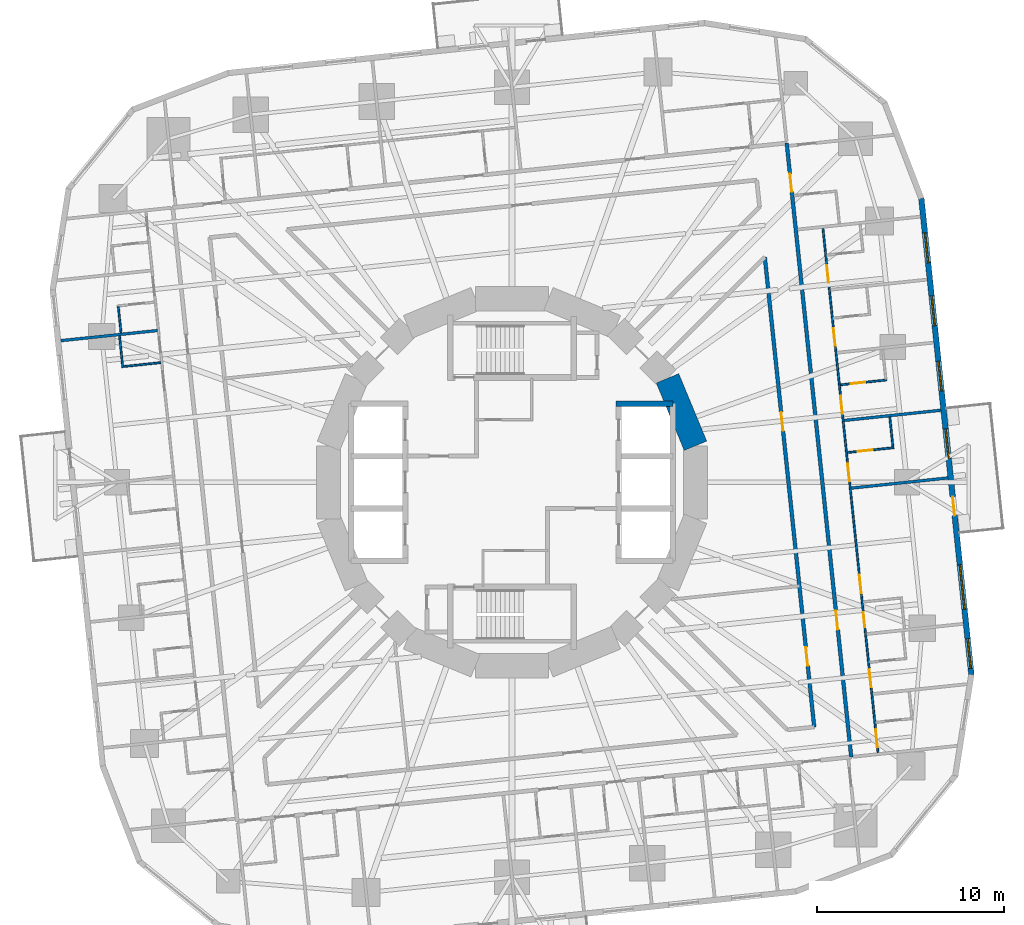
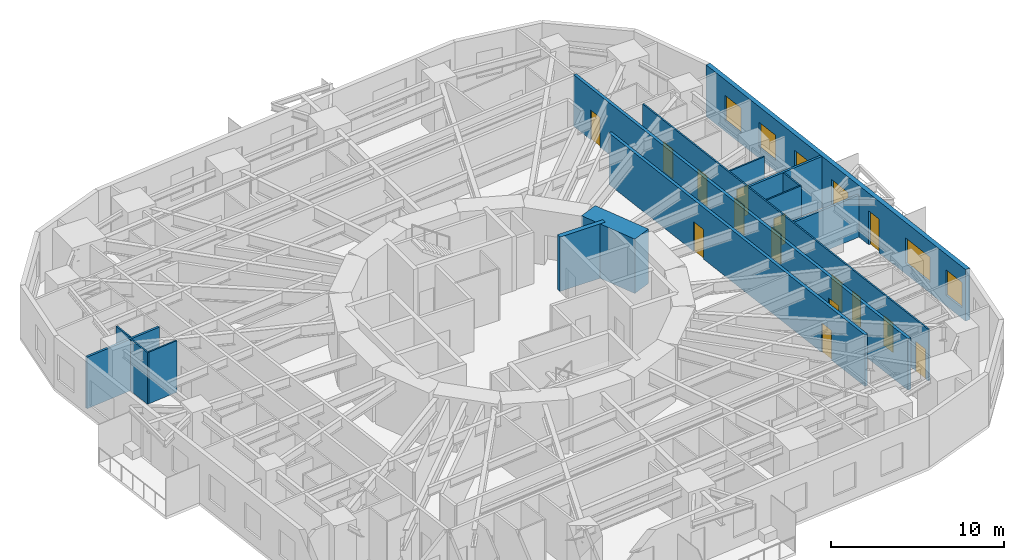
# One storey, part 9 of 14: 15 doors, 15 walls, 6 windows, 21 openings.
"""IFC4 building model written with IfcOpenShell, lengths in metres."""

from ifc_helpers import new_model, si_unit, direction, frame, frame_2d, origin, place, context, subcontext, project, spatial, rectangle, extrude, material, layer, layer_set, type_object, element, fill, save


model = new_model("IFC4")

# Units and contexts
model_context = context("Model", 3, precision=1e-05, world=origin(), true_north=direction((0.0, 1.0)))
body_context = subcontext(model_context, "Body", "Model", "MODEL_VIEW")
ifc_project = project(units=[si_unit("LENGTHUNIT", "METRE"), si_unit("AREAUNIT", "SQUARE_METRE"), si_unit("VOLUMEUNIT", "CUBIC_METRE"), si_unit("PLANEANGLEUNIT", "RADIAN"), si_unit("MASSUNIT", "GRAM", prefix="KILO")], contexts=[model_context])

# Site, building, storey
site_placement = place(None, origin())
site = spatial("IfcSite", under=ifc_project, at=site_placement, CompositionType="ELEMENT")
building_placement = place(site_placement, origin())
building = spatial("IfcBuilding", under=site, at=building_placement, Name="Nakasero Lantern House", CompositionType="ELEMENT")
storey_placement = place(building_placement, frame((0.0, 0.0, 87.449951171875)))
storey = spatial("IfcBuildingStorey", under=building, at=storey_placement, Name="L21", CompositionType="ELEMENT", Elevation=87.449951171875)

# Wall, openings, doors
ifc_material_1 = material(Name="Blockwork", Category="masonry")
ifc_layer_1 = layer(ifc_material_1, 0.10009765625)
ifc_layer_set_1 = layer_set([ifc_layer_1], Name="Cluster hall wall 100")
wall_type_1 = type_object("IfcWallType", Name="Cluster hall wall 100", PredefinedType="PARTITIONING", material=ifc_layer_set_1)
wall_1_placement = place(storey_placement, frame((19.568603515625, -14.458740234375, 0.0), z_axis=(0.0, 0.0, 1.0), x_axis=(-0.10452880444, 0.99452185951, 0.0)))
wall_1 = element("IfcWall", 1, at=wall_1_placement, inside=storey, type_object=wall_type_1, Name="Cluster hall wall L21 HW0-0", PredefinedType="PARTITIONING", context=body_context, shape_type="SweptSolid", body=[
    extrude(rectangle(XDim=28.191162109375, YDim=0.10009765625, at=frame_2d((14.095703125, 0.0))), origin(), (0.0, 0.0, 1.0), 3.650146484375),
])
opening_1_placement = place(wall_1_placement, frame((8.57568359375, 0.0, 0.0)))
opening_1 = element("IfcOpeningElement", 2, at=opening_1_placement, cuts=wall_1, Name="Opening D03", PredefinedType="OPENING", context=body_context, shape_type="SweptSolid", body=[
    extrude(rectangle(XDim=1.0, YDim=2.10009765625, at=frame_2d((0.5, 1.050048828125))), frame((0.0, 0.070068359375, 0.0), z_axis=(0.0, -1.0, 0.0), x_axis=(1.0, 0.0, 0.0)), (0.0, 0.0, 1.0), 0.14013671875),
])
opening_2_placement = place(wall_1_placement, frame((6.75048828125, 0.0, 0.0)))
opening_2 = element("IfcOpeningElement", 3, at=opening_2_placement, cuts=wall_1, Name="Opening D02", PredefinedType="OPENING", context=body_context, shape_type="SweptSolid", body=[
    extrude(rectangle(XDim=0.800048828125, YDim=2.10009765625, at=frame_2d((0.39990234375, 1.050048828125))), frame((0.0, 0.070068359375, 0.0), z_axis=(0.0, -1.0, 0.0), x_axis=(1.0, 0.0, 0.0)), (0.0, 0.0, 1.0), 0.14013671875),
])
opening_3_placement = place(wall_1_placement, frame((0.300048828125, 0.0, 0.0)))
opening_3 = element("IfcOpeningElement", 4, at=opening_3_placement, cuts=wall_1, Name="Opening D01", PredefinedType="OPENING", context=body_context, shape_type="SweptSolid", body=[
    extrude(rectangle(XDim=0.949951171875, YDim=2.10009765625, at=frame_2d((0.47509765625, 1.050048828125))), frame((0.0, 0.070068359375, 0.0), z_axis=(0.0, -1.0, 0.0), x_axis=(1.0, 0.0, 0.0)), (0.0, 0.0, 1.0), 0.14013671875),
])
opening_4_placement = place(wall_1_placement, frame((3.525390625, 0.0, 0.0)))
opening_4 = element("IfcOpeningElement", 5, at=opening_4_placement, cuts=wall_1, Name="Opening D01", PredefinedType="OPENING", context=body_context, shape_type="SweptSolid", body=[
    extrude(rectangle(XDim=0.949951171875, YDim=2.10009765625, at=frame_2d((0.47509765625, 1.050048828125))), frame((0.0, 0.070068359375, 0.0), z_axis=(0.0, -1.0, 0.0), x_axis=(1.0, 0.0, 0.0)), (0.0, 0.0, 1.0), 0.14013671875),
])
opening_5_placement = place(wall_1_placement, frame((14.5927734375, 0.0, 0.0)))
opening_5 = element("IfcOpeningElement", 6, at=opening_5_placement, cuts=wall_1, Name="Opening D01", PredefinedType="OPENING", context=body_context, shape_type="SweptSolid", body=[
    extrude(rectangle(XDim=0.949951171875, YDim=2.10009765625, at=frame_2d((0.47509765625, 1.050048828125))), frame((0.0, 0.070068359375, 0.0), z_axis=(0.0, -1.0, 0.0), x_axis=(1.0, 0.0, 0.0)), (0.0, 0.0, 1.0), 0.14013671875),
])
opening_6_placement = place(wall_1_placement, frame((18.2314453125, 0.0, 0.0)))
opening_6 = element("IfcOpeningElement", 7, at=opening_6_placement, cuts=wall_1, Name="Opening D01", PredefinedType="OPENING", context=body_context, shape_type="SweptSolid", body=[
    extrude(rectangle(XDim=0.949951171875, YDim=2.10009765625, at=frame_2d((0.47509765625, 1.050048828125))), frame((0.0, 0.070068359375, 0.0), z_axis=(0.0, -1.0, 0.0), x_axis=(1.0, 0.0, 0.0)), (0.0, 0.0, 1.0), 0.14013671875),
])
opening_7_placement = place(wall_1_placement, frame((21.8701171875, 0.0, 0.0)))
opening_7 = element("IfcOpeningElement", 8, at=opening_7_placement, cuts=wall_1, Name="Opening D01", PredefinedType="OPENING", context=body_context, shape_type="SweptSolid", body=[
    extrude(rectangle(XDim=0.949951171875, YDim=2.10009765625, at=frame_2d((0.47509765625, 1.050048828125))), frame((0.0, 0.070068359375, 0.0), z_axis=(0.0, -1.0, 0.0), x_axis=(1.0, 0.0, 0.0)), (0.0, 0.0, 1.0), 0.14013671875),
])
opening_8_placement = place(wall_1_placement, frame((25.255615234375, 0.0, 0.0)))
opening_8 = element("IfcOpeningElement", 9, at=opening_8_placement, cuts=wall_1, Name="Opening D01", PredefinedType="OPENING", context=body_context, shape_type="SweptSolid", body=[
    extrude(rectangle(XDim=0.949951171875, YDim=2.10009765625, at=frame_2d((0.47509765625, 1.050048828125))), frame((0.0, 0.070068359375, 0.0), z_axis=(0.0, -1.0, 0.0), x_axis=(1.0, 0.0, 0.0)), (0.0, 0.0, 1.0), 0.14013671875),
])
ifc_material_2 = material(Name="Timber C24", Category="wood")
door_type_1 = type_object("IfcDoorType", Name="Bedroom door FD30S 950", OperationType="SINGLE_SWING_LEFT", PredefinedType="DOOR", material=ifc_material_2)
door_1_placement = place(opening_3_placement, origin())
door_1 = element("IfcDoor", 10, at=door_1_placement, inside=storey, type_object=door_type_1, Name="Door L21 D0-00", OperationType="SINGLE_SWING_LEFT", OverallHeight=2.10009765625, OverallWidth=0.949951171875, PredefinedType="DOOR", context=body_context, shape_type="SweptSolid", body=[
    extrude(rectangle(XDim=0.949951171875, YDim=2.10009765625, at=frame_2d((0.47509765625, 1.050048828125))), frame((0.0, 0.02490234375, 0.0), z_axis=(0.0, -1.0, 0.0), x_axis=(1.0, 0.0, 0.0)), (0.0, 0.0, 1.0), 0.050048828125),
])
fill(opening_3, door_1)
door_2_placement = place(opening_4_placement, origin())
door_2 = element("IfcDoor", 11, at=door_2_placement, inside=storey, type_object=door_type_1, Name="Door L21 D0-01", OperationType="SINGLE_SWING_LEFT", OverallHeight=2.10009765625, OverallWidth=0.949951171875, PredefinedType="DOOR", context=body_context, shape_type="SweptSolid", body=[
    extrude(rectangle(XDim=0.949951171875, YDim=2.10009765625, at=frame_2d((0.47509765625, 1.050048828125))), frame((0.0, 0.02490234375, 0.0), z_axis=(0.0, -1.0, 0.0), x_axis=(1.0, 0.0, 0.0)), (0.0, 0.0, 1.0), 0.050048828125),
])
fill(opening_4, door_2)
door_3_placement = place(opening_5_placement, origin())
door_3 = element("IfcDoor", 12, at=door_3_placement, inside=storey, type_object=door_type_1, Name="Door L21 D0-04", OperationType="SINGLE_SWING_RIGHT", OverallHeight=2.10009765625, OverallWidth=0.949951171875, PredefinedType="DOOR", context=body_context, shape_type="SweptSolid", body=[
    extrude(rectangle(XDim=0.949951171875, YDim=2.10009765625, at=frame_2d((0.47509765625, 1.050048828125))), frame((0.0, 0.02490234375, 0.0), z_axis=(0.0, -1.0, 0.0), x_axis=(1.0, 0.0, 0.0)), (0.0, 0.0, 1.0), 0.050048828125),
])
fill(opening_5, door_3)
door_4_placement = place(opening_6_placement, origin())
door_4 = element("IfcDoor", 13, at=door_4_placement, inside=storey, type_object=door_type_1, Name="Door L21 D0-05", OperationType="SINGLE_SWING_RIGHT", OverallHeight=2.10009765625, OverallWidth=0.949951171875, PredefinedType="DOOR", context=body_context, shape_type="SweptSolid", body=[
    extrude(rectangle(XDim=0.949951171875, YDim=2.10009765625, at=frame_2d((0.47509765625, 1.050048828125))), frame((0.0, 0.02490234375, 0.0), z_axis=(0.0, -1.0, 0.0), x_axis=(1.0, 0.0, 0.0)), (0.0, 0.0, 1.0), 0.050048828125),
])
fill(opening_6, door_4)
door_5_placement = place(opening_7_placement, origin())
door_5 = element("IfcDoor", 14, at=door_5_placement, inside=storey, type_object=door_type_1, Name="Door L21 D0-06", OperationType="SINGLE_SWING_RIGHT", OverallHeight=2.10009765625, OverallWidth=0.949951171875, PredefinedType="DOOR", context=body_context, shape_type="SweptSolid", body=[
    extrude(rectangle(XDim=0.949951171875, YDim=2.10009765625, at=frame_2d((0.47509765625, 1.050048828125))), frame((0.0, 0.02490234375, 0.0), z_axis=(0.0, -1.0, 0.0), x_axis=(1.0, 0.0, 0.0)), (0.0, 0.0, 1.0), 0.050048828125),
])
fill(opening_7, door_5)
door_6_placement = place(opening_8_placement, origin())
door_6 = element("IfcDoor", 15, at=door_6_placement, inside=storey, type_object=door_type_1, Name="Door L21 D0-07", OperationType="SINGLE_SWING_RIGHT", OverallHeight=2.10009765625, OverallWidth=0.949951171875, PredefinedType="DOOR", context=body_context, shape_type="SweptSolid", body=[
    extrude(rectangle(XDim=0.949951171875, YDim=2.10009765625, at=frame_2d((0.47509765625, 1.050048828125))), frame((0.0, 0.02490234375, 0.0), z_axis=(0.0, -1.0, 0.0), x_axis=(1.0, 0.0, 0.0)), (0.0, 0.0, 1.0), 0.050048828125),
])
fill(opening_8, door_6)
ifc_material_3 = material(Name="Timber C24", Category="wood")
door_type_2 = type_object("IfcDoorType", Name="En-suite door 800", OperationType="SINGLE_SWING_RIGHT", PredefinedType="DOOR", material=ifc_material_3)
door_7_placement = place(opening_2_placement, origin())
door_7 = element("IfcDoor", 16, at=door_7_placement, inside=storey, type_object=door_type_2, Name="Door L21 DSH0-0", OperationType="SINGLE_SWING_LEFT", OverallHeight=2.10009765625, OverallWidth=0.800048828125, PredefinedType="DOOR", context=body_context, shape_type="SweptSolid", body=[
    extrude(rectangle(XDim=0.800048828125, YDim=2.10009765625, at=frame_2d((0.39990234375, 1.050048828125))), frame((0.0, 0.02490234375, 0.0), z_axis=(0.0, -1.0, 0.0), x_axis=(1.0, 0.0, 0.0)), (0.0, 0.0, 1.0), 0.050048828125),
])
fill(opening_2, door_7)
ifc_material_4 = material(Name="Timber C24", Category="wood")
door_type_3 = type_object("IfcDoorType", Name="Lounge door FD30S 1000", OperationType="SINGLE_SWING_LEFT", PredefinedType="DOOR", material=ifc_material_4)
door_8_placement = place(opening_1_placement, origin())
door_8 = element("IfcDoor", 17, at=door_8_placement, inside=storey, type_object=door_type_3, Name="Door L21 DH0-0", OperationType="SINGLE_SWING_LEFT", OverallHeight=2.10009765625, OverallWidth=1.0, PredefinedType="DOOR", context=body_context, shape_type="SweptSolid", body=[
    extrude(rectangle(XDim=1.0, YDim=2.10009765625, at=frame_2d((0.5, 1.050048828125))), frame((0.0, 0.02490234375, 0.0), z_axis=(0.0, -1.0, 0.0), x_axis=(1.0, 0.0, 0.0)), (0.0, 0.0, 1.0), 0.050048828125),
])
fill(opening_1, door_8)

# Walls
ifc_material_5 = material(Name="Concrete C50/60", Category="concrete")
ifc_layer_2 = layer(ifc_material_5, 0.300048828125)
ifc_layer_set_2 = layer_set([ifc_layer_2], Name="Core inner wall 300")
wall_type_2 = type_object("IfcWallType", Name="Core inner wall 300", PredefinedType="SHEAR", material=ifc_layer_set_2)
wall_2_placement = place(storey_placement, frame((5.550048828125, 4.199951171875, 0.0), z_axis=(0.0, 0.0, 1.0), x_axis=(1.0, 0.0, 0.0)))
element("IfcWall", 18, at=wall_2_placement, inside=storey, type_object=wall_type_2, Name="Core inner wall L21 LEN", PredefinedType="SHEAR", context=body_context, shape_type="SweptSolid", body=[
    extrude(rectangle(XDim=3.050048828125, YDim=0.300048828125, at=frame_2d((1.52490234375, 0.0))), origin(), (0.0, 0.0, 1.0), 3.85009765625),
])
ifc_material_6 = material(Name="Concrete C50/60", Category="concrete")
ifc_layer_3 = layer(ifc_material_6, 1.300048828125)
ifc_layer_set_3 = layer_set([ifc_layer_3], Name="Core wall 1300")
wall_type_3 = type_object("IfcWallType", Name="Core wall 1300", PredefinedType="SHEAR", material=ifc_layer_set_3)
wall_3_placement = place(storey_placement, frame((9.807861328125, 1.950927734375, 0.0), z_axis=(0.0, 0.0, 1.0), x_axis=(-0.382690736062, 0.923876507187, 0.0)))
element("IfcWall", 19, at=wall_3_placement, inside=storey, type_object=wall_type_3, Name="Core wall L21 facet 1", PredefinedType="SHEAR", context=body_context, shape_type="SweptSolid", body=[
    extrude(rectangle(XDim=3.90185546875, YDim=1.300048828125, at=frame_2d((1.950927734375, 0.0))), origin(), (0.0, 0.0, 1.0), 3.85009765625),
])

# Wall, openings, doors
ifc_material_7 = material(Name="Blockwork", Category="masonry")
ifc_layer_4 = layer(ifc_material_7, 0.199951171875)
ifc_layer_set_4 = layer_set([ifc_layer_4], Name="Corridor wall 200")
wall_type_4 = type_object("IfcWallType", Name="Corridor wall 200", PredefinedType="PARTITIONING", material=ifc_layer_set_4)
wall_4_placement = place(storey_placement, frame((18.13427734375, -14.684814453125, 0.0), z_axis=(0.0, 0.0, 1.0), x_axis=(-0.10452958258, 0.994521777723, 0.0)))
wall_4 = element("IfcWall", 20, at=wall_4_placement, inside=storey, type_object=wall_type_4, Name="Corridor wall L21 CW0", PredefinedType="PARTITIONING", context=body_context, shape_type="SweptSolid", body=[
    extrude(rectangle(XDim=32.999755859375, YDim=0.199951171875, at=frame_2d((16.5, 0.0))), origin(), (0.0, 0.0, 1.0), 3.650146484375),
])
opening_9_placement = place(wall_4_placement, frame((6.8505859375, 0.0, 0.0)))
opening_9 = element("IfcOpeningElement", 21, at=opening_9_placement, cuts=wall_4, Name="Opening D14", PredefinedType="OPENING", context=body_context, shape_type="SweptSolid", body=[
    extrude(rectangle(XDim=1.0, YDim=2.10009765625, at=frame_2d((0.5, 1.050048828125))), frame((0.0, 0.119873046875, 0.0), z_axis=(0.0, -1.0, 0.0), x_axis=(1.0, 0.0, 0.0)), (0.0, 0.0, 1.0), 0.239990234375),
])
opening_10_placement = place(wall_4_placement, frame((30.39111328125, 0.0, 0.0)))
opening_10 = element("IfcOpeningElement", 22, at=opening_10_placement, cuts=wall_4, Name="Opening D01", PredefinedType="OPENING", context=body_context, shape_type="SweptSolid", body=[
    extrude(rectangle(XDim=0.949951171875, YDim=2.10009765625, at=frame_2d((0.47509765625, 1.050048828125))), frame((0.0, 0.119873046875, 0.0), z_axis=(0.0, -1.0, 0.0), x_axis=(1.0, 0.0, 0.0)), (0.0, 0.0, 1.0), 0.239990234375),
])
door_9_placement = place(opening_10_placement, origin())
door_9 = element("IfcDoor", 23, at=door_9_placement, inside=storey, type_object=door_type_1, Name="Door L21 D0-08", OperationType="SINGLE_SWING_RIGHT", OverallHeight=2.10009765625, OverallWidth=0.949951171875, PredefinedType="DOOR", context=body_context, shape_type="SweptSolid", body=[
    extrude(rectangle(XDim=0.949951171875, YDim=2.10009765625, at=frame_2d((0.47509765625, 1.050048828125))), frame((0.0, 0.02490234375, 0.0), z_axis=(0.0, -1.0, 0.0), x_axis=(1.0, 0.0, 0.0)), (0.0, 0.0, 1.0), 0.050048828125),
])
fill(opening_10, door_9)
ifc_material_8 = material(Name="Timber C24", Category="wood")
door_type_4 = type_object("IfcDoorType", Name="Cluster entrance door FD30S 1000", OperationType="SINGLE_SWING_LEFT", PredefinedType="DOOR", material=ifc_material_8)
door_10_placement = place(opening_9_placement, origin())
door_10 = element("IfcDoor", 24, at=door_10_placement, inside=storey, type_object=door_type_4, Name="Door L21 DF0-0", OperationType="SINGLE_SWING_LEFT", OverallHeight=2.10009765625, OverallWidth=1.0, PredefinedType="DOOR", context=body_context, shape_type="SweptSolid", body=[
    extrude(rectangle(XDim=1.0, YDim=2.10009765625, at=frame_2d((0.5, 1.050048828125))), frame((0.0, 0.02490234375, 0.0), z_axis=(0.0, -1.0, 0.0), x_axis=(1.0, 0.0, 0.0)), (0.0, 0.0, 1.0), 0.050048828125),
])
fill(opening_9, door_10)

wall_5_placement = place(storey_placement, frame((16.156005859375, -13.0830078125, 0.0), z_axis=(0.0, 0.0, 1.0), x_axis=(-0.104528773298, 0.994521862783, 0.0)))
wall_5 = element("IfcWall", 25, at=wall_5_placement, inside=storey, type_object=wall_type_4, Name="Corridor wall L21 IW0-0", PredefinedType="PARTITIONING", context=body_context, shape_type="SweptSolid", body=[
    extrude(rectangle(XDim=25.2529296875, YDim=0.199951171875, at=frame_2d((12.62646484375, 0.0))), origin(), (0.0, 0.0, 1.0), 3.650146484375),
])
opening_11_placement = place(wall_5_placement, frame((3.287841796875, 0.0, 0.0)))
opening_11 = element("IfcOpeningElement", 26, at=opening_11_placement, cuts=wall_5, Name="Opening D07", PredefinedType="OPENING", context=body_context, shape_type="SweptSolid", body=[
    extrude(rectangle(XDim=1.0, YDim=2.10009765625, at=frame_2d((0.5, 1.050048828125))), frame((0.0, 0.119873046875, 0.0), z_axis=(0.0, -1.0, 0.0), x_axis=(1.0, 0.0, 0.0)), (0.0, 0.0, 1.0), 0.239990234375),
])
opening_12_placement = place(wall_5_placement, frame((15.914306640625, 0.0, 0.0)))
opening_12 = element("IfcOpeningElement", 27, at=opening_12_placement, cuts=wall_5, Name="Opening D07", PredefinedType="OPENING", context=body_context, shape_type="SweptSolid", body=[
    extrude(rectangle(XDim=1.0, YDim=2.10009765625, at=frame_2d((0.5, 1.050048828125))), frame((0.0, 0.119873046875, 0.0), z_axis=(0.0, -1.0, 0.0), x_axis=(1.0, 0.0, 0.0)), (0.0, 0.0, 1.0), 0.239990234375),
])
ifc_material_9 = material(Name="Timber C24", Category="wood")
door_type_5 = type_object("IfcDoorType", Name="Room door FD30S 1000", OperationType="SINGLE_SWING_LEFT", PredefinedType="DOOR", material=ifc_material_9)
door_11_placement = place(opening_11_placement, origin())
door_11 = element("IfcDoor", 28, at=door_11_placement, inside=storey, type_object=door_type_5, Name="Door L21 DI4", OperationType="SINGLE_SWING_LEFT", OverallHeight=2.10009765625, OverallWidth=1.0, PredefinedType="DOOR", context=body_context, shape_type="SweptSolid", body=[
    extrude(rectangle(XDim=1.0, YDim=2.10009765625, at=frame_2d((0.5, 1.050048828125))), frame((0.0, 0.02490234375, 0.0), z_axis=(0.0, -1.0, 0.0), x_axis=(1.0, 0.0, 0.0)), (0.0, 0.0, 1.0), 0.050048828125),
])
fill(opening_11, door_11)
door_12_placement = place(opening_12_placement, origin())
door_12 = element("IfcDoor", 29, at=door_12_placement, inside=storey, type_object=door_type_5, Name="Door L21 DI4S", OperationType="SINGLE_SWING_RIGHT", OverallHeight=2.10009765625, OverallWidth=1.0, PredefinedType="DOOR", context=body_context, shape_type="SweptSolid", body=[
    extrude(rectangle(XDim=1.0, YDim=2.10009765625, at=frame_2d((0.5, 1.050048828125))), frame((0.0, 0.02490234375, 0.0), z_axis=(0.0, -1.0, 0.0), x_axis=(1.0, 0.0, 0.0)), (0.0, 0.0, 1.0), 0.050048828125),
])
fill(opening_12, door_12)

# Wall, opening, door
ifc_material_10 = material(Name="Blockwork", Category="masonry")
ifc_layer_5 = layer(ifc_material_10, 0.10009765625)
ifc_layer_set_5 = layer_set([ifc_layer_5], Name="En-suite wall 100")
wall_type_5 = type_object("IfcWallType", Name="En-suite wall 100", PredefinedType="PARTITIONING", material=ifc_layer_set_5)
wall_6_placement = place(storey_placement, frame((17.93212890625, 1.589599609375, 0.0), z_axis=(0.0, 0.0, 1.0), x_axis=(0.994525767953, 0.104491611519, 0.0)))
wall_6 = element("IfcWall", 30, at=wall_6_placement, inside=storey, type_object=wall_type_5, Name="En-suite wall L21 ES0-04", PredefinedType="PARTITIONING", context=body_context, shape_type="SweptSolid", body=[
    extrude(rectangle(XDim=2.5, YDim=0.10009765625, at=frame_2d((1.25, 0.0))), origin(), (0.0, 0.0, 1.0), 3.650146484375),
])
opening_13_placement = place(wall_6_placement, frame((0.550048828125, 0.0, 0.0)))
opening_13 = element("IfcOpeningElement", 31, at=opening_13_placement, cuts=wall_6, Name="Opening D02", PredefinedType="OPENING", context=body_context, shape_type="SweptSolid", body=[
    extrude(rectangle(XDim=0.800048828125, YDim=2.10009765625, at=frame_2d((0.39990234375, 1.050048828125))), frame((0.0, 0.070068359375, 0.0), z_axis=(0.0, -1.0, 0.0), x_axis=(1.0, 0.0, 0.0)), (0.0, 0.0, 1.0), 0.14013671875),
])
door_13_placement = place(opening_13_placement, origin())
door_13 = element("IfcDoor", 32, at=door_13_placement, inside=storey, type_object=door_type_2, Name="Door L21 DE0-04", OperationType="SINGLE_SWING_LEFT", OverallHeight=2.10009765625, OverallWidth=0.800048828125, PredefinedType="DOOR", context=body_context, shape_type="SweptSolid", body=[
    extrude(rectangle(XDim=0.800048828125, YDim=2.10009765625, at=frame_2d((0.39990234375, 1.050048828125))), frame((0.0, 0.02490234375, 0.0), z_axis=(0.0, -1.0, 0.0), x_axis=(1.0, 0.0, 0.0)), (0.0, 0.0, 1.0), 0.050048828125),
])
fill(opening_13, door_13)

# Wall
wall_7_placement = place(storey_placement, frame((20.363525390625, 1.895263671875, 0.0), z_axis=(0.0, 0.0, 1.0), x_axis=(-0.104517989015, 0.994522996201, 0.0)))
element("IfcWall", 33, at=wall_7_placement, inside=storey, type_object=wall_type_5, Name="En-suite wall L21 EE0-04", PredefinedType="PARTITIONING", context=body_context, shape_type="SweptSolid", body=[
    extrude(rectangle(XDim=1.60009765625, YDim=0.10009765625, at=frame_2d((0.800048828125, 0.0))), origin(), (0.0, 0.0, 1.0), 3.650146484375),
])

# Wall, opening, door
wall_8_placement = place(storey_placement, frame((17.5517578125, 5.208251953125, 0.0), z_axis=(0.0, 0.0, 1.0), x_axis=(0.994525767953, 0.104491611519, 0.0)))
wall_8 = element("IfcWall", 34, at=wall_8_placement, inside=storey, type_object=wall_type_5, Name="En-suite wall L21 ES0-05", PredefinedType="PARTITIONING", context=body_context, shape_type="SweptSolid", body=[
    extrude(rectangle(XDim=2.5, YDim=0.10009765625, at=frame_2d((1.25, 0.0))), origin(), (0.0, 0.0, 1.0), 3.650146484375),
])
opening_14_placement = place(wall_8_placement, frame((0.550048828125, 0.0, 0.0)))
opening_14 = element("IfcOpeningElement", 35, at=opening_14_placement, cuts=wall_8, Name="Opening D02", PredefinedType="OPENING", context=body_context, shape_type="SweptSolid", body=[
    extrude(rectangle(XDim=0.800048828125, YDim=2.10009765625, at=frame_2d((0.39990234375, 1.050048828125))), frame((0.0, 0.070068359375, 0.0), z_axis=(0.0, -1.0, 0.0), x_axis=(1.0, 0.0, 0.0)), (0.0, 0.0, 1.0), 0.14013671875),
])
door_14_placement = place(opening_14_placement, origin())
door_14 = element("IfcDoor", 36, at=door_14_placement, inside=storey, type_object=door_type_2, Name="Door L21 DE0-05", OperationType="SINGLE_SWING_LEFT", OverallHeight=2.10009765625, OverallWidth=0.800048828125, PredefinedType="DOOR", context=body_context, shape_type="SweptSolid", body=[
    extrude(rectangle(XDim=0.800048828125, YDim=2.10009765625, at=frame_2d((0.39990234375, 1.050048828125))), frame((0.0, 0.02490234375, 0.0), z_axis=(0.0, -1.0, 0.0), x_axis=(1.0, 0.0, 0.0)), (0.0, 0.0, 1.0), 0.050048828125),
])
fill(opening_14, door_14)

# Walls
wall_9_placement = place(storey_placement, frame((-18.771484375, 6.397216796875, 0.0), z_axis=(0.0, 0.0, 1.0), x_axis=(-0.994523910136, -0.104509292252, 0.0)))
element("IfcWall", 37, at=wall_9_placement, inside=storey, type_object=wall_type_5, Name="En-suite wall L21 SS2-0", PredefinedType="PARTITIONING", context=body_context, shape_type="SweptSolid", body=[
    extrude(rectangle(XDim=2.10009765625, YDim=0.10009765625, at=frame_2d((1.050048828125, 0.0))), origin(), (0.0, 0.0, 1.0), 3.650146484375),
])
wall_10_placement = place(storey_placement, frame((-20.982666015625, 7.823974609375, 0.0), z_axis=(0.0, 0.0, 1.0), x_axis=(0.104408173862, -0.994534530939, 0.0)))
element("IfcWall", 38, at=wall_10_placement, inside=storey, type_object=wall_type_5, Name="En-suite wall L21 SE2-0", PredefinedType="PARTITIONING", context=body_context, shape_type="SweptSolid", body=[
    extrude(rectangle(XDim=1.699951171875, YDim=0.10009765625, at=frame_2d((0.85009765625, 0.0))), origin(), (0.0, 0.0, 1.0), 3.650146484375),
])
wall_11_placement = place(storey_placement, frame((-21.04541015625, 9.3759765625, 0.0), z_axis=(0.0, 0.0, 1.0), x_axis=(0.104630319263, -0.994511184598, 0.0)))
element("IfcWall", 39, at=wall_11_placement, inside=storey, type_object=wall_type_5, Name="En-suite wall L21 EE2-01", PredefinedType="PARTITIONING", context=body_context, shape_type="SweptSolid", body=[
    extrude(rectangle(XDim=1.39990234375, YDim=0.10009765625, at=frame_2d((0.699951171875, 0.0))), origin(), (0.0, 0.0, 1.0), 3.650146484375),
])

# Wall, openings, door, windows
ifc_material_11 = material(Name="Aluminium rainscreen on blockwork", Category="masonry")
ifc_layer_6 = layer(ifc_material_11, 0.300048828125)
ifc_layer_set_6 = layer_set([ifc_layer_6], Name="Facade wall 300")
wall_type_6 = type_object("IfcWallType", Name="Facade wall 300", PredefinedType="SOLIDWALL", material=ifc_layer_set_6)
wall_12_placement = place(storey_placement, frame((24.56005859375, -10.2890625, 0.0), z_axis=(0.0, 0.0, 1.0), x_axis=(-0.104532378096, 0.994521483895, 0.0)))
wall_12 = element("IfcWall", 40, at=wall_12_placement, inside=storey, type_object=wall_type_6, Name="Facade wall L21 FW0S", PredefinedType="SOLIDWALL", context=body_context, shape_type="SweptSolid", body=[
    extrude(rectangle(XDim=25.599853515625, YDim=0.300048828125, at=frame_2d((12.7998046875, 0.0))), origin(), (0.0, 0.0, 1.0), 3.650146484375),
])
opening_15_placement = place(wall_12_placement, frame((0.337890625, 0.0, 0.75)))
opening_15 = element("IfcOpeningElement", 41, at=opening_15_placement, cuts=wall_12, Name="Opening W01", PredefinedType="OPENING", context=body_context, shape_type="SweptSolid", body=[
    extrude(rectangle(XDim=1.60009765625, YDim=1.800048828125, at=frame_2d((0.800048828125, 0.89990234375))), frame((0.0, 0.169921875, 0.0), z_axis=(0.0, -1.0, 0.0), x_axis=(1.0, 0.0, 0.0)), (0.0, 0.0, 1.0), 0.340087890625),
])
opening_16_placement = place(wall_12_placement, frame((11.612060546875, 0.0, 0.75)))
opening_16 = element("IfcOpeningElement", 42, at=opening_16_placement, cuts=wall_12, Name="Opening W01", PredefinedType="OPENING", context=body_context, shape_type="SweptSolid", body=[
    extrude(rectangle(XDim=1.60009765625, YDim=1.800048828125, at=frame_2d((0.800048828125, 0.89990234375))), frame((0.0, 0.169921875, 0.0), z_axis=(0.0, -1.0, 0.0), x_axis=(1.0, 0.0, 0.0)), (0.0, 0.0, 1.0), 0.340087890625),
])
opening_17_placement = place(wall_12_placement, frame((15.250732421875, 0.0, 0.75)))
opening_17 = element("IfcOpeningElement", 43, at=opening_17_placement, cuts=wall_12, Name="Opening W01", PredefinedType="OPENING", context=body_context, shape_type="SweptSolid", body=[
    extrude(rectangle(XDim=1.60009765625, YDim=1.800048828125, at=frame_2d((0.800048828125, 0.89990234375))), frame((0.0, 0.169921875, 0.0), z_axis=(0.0, -1.0, 0.0), x_axis=(1.0, 0.0, 0.0)), (0.0, 0.0, 1.0), 0.340087890625),
])
opening_18_placement = place(wall_12_placement, frame((18.7626953125, 0.0, 0.75)))
opening_18 = element("IfcOpeningElement", 44, at=opening_18_placement, cuts=wall_12, Name="Opening W01", PredefinedType="OPENING", context=body_context, shape_type="SweptSolid", body=[
    extrude(rectangle(XDim=1.60009765625, YDim=1.800048828125, at=frame_2d((0.800048828125, 0.89990234375))), frame((0.0, 0.169921875, 0.0), z_axis=(0.0, -1.0, 0.0), x_axis=(1.0, 0.0, 0.0)), (0.0, 0.0, 1.0), 0.340087890625),
])
opening_19_placement = place(wall_12_placement, frame((22.1484375, 0.0, 0.75)))
opening_19 = element("IfcOpeningElement", 45, at=opening_19_placement, cuts=wall_12, Name="Opening W01", PredefinedType="OPENING", context=body_context, shape_type="SweptSolid", body=[
    extrude(rectangle(XDim=1.60009765625, YDim=1.800048828125, at=frame_2d((0.800048828125, 0.89990234375))), frame((0.0, 0.169921875, 0.0), z_axis=(0.0, -1.0, 0.0), x_axis=(1.0, 0.0, 0.0)), (0.0, 0.0, 1.0), 0.340087890625),
])
opening_20_placement = place(wall_12_placement, frame((3.51123046875, 0.0, 0.75)))
opening_20 = element("IfcOpeningElement", 46, at=opening_20_placement, cuts=wall_12, Name="Opening W03", PredefinedType="OPENING", context=body_context, shape_type="SweptSolid", body=[
    extrude(rectangle(XDim=2.39990234375, YDim=1.800048828125, at=frame_2d((1.199951171875, 0.89990234375))), frame((0.0, 0.169921875, 0.0), z_axis=(0.0, -1.0, 0.0), x_axis=(1.0, 0.0, 0.0)), (0.0, 0.0, 1.0), 0.340087890625),
])
opening_21_placement = place(wall_12_placement, frame((8.558837890625, 0.0, 0.0)))
opening_21 = element("IfcOpeningElement", 47, at=opening_21_placement, cuts=wall_12, Name="Opening D04", PredefinedType="OPENING", context=body_context, shape_type="SweptSolid", body=[
    extrude(rectangle(XDim=1.0, YDim=2.39990234375, at=frame_2d((0.5, 1.199951171875))), frame((0.0, 0.169921875, 0.0), z_axis=(0.0, -1.0, 0.0), x_axis=(1.0, 0.0, 0.0)), (0.0, 0.0, 1.0), 0.340087890625),
])
ifc_material_12 = material(Name="Aluminium 6063-T6 and glass", Category="aluminium")
door_type_6 = type_object("IfcDoorType", Name="Balcony door 1000x2400", OperationType="SINGLE_SWING_RIGHT", PredefinedType="DOOR", material=ifc_material_12)
door_15_placement = place(opening_21_placement, origin())
door_15 = element("IfcDoor", 48, at=door_15_placement, inside=storey, type_object=door_type_6, Name="Balcony door L21 DB0", OperationType="SINGLE_SWING_RIGHT", OverallHeight=2.39990234375, OverallWidth=1.0, PredefinedType="DOOR", context=body_context, shape_type="SweptSolid", body=[
    extrude(rectangle(XDim=1.0, YDim=2.39990234375, at=frame_2d((0.5, 1.199951171875))), frame((0.0, 0.02490234375, 0.0), z_axis=(0.0, -1.0, 0.0), x_axis=(1.0, 0.0, 0.0)), (0.0, 0.0, 1.0), 0.050048828125),
])
fill(opening_21, door_15)
ifc_material_13 = material(Name="Aluminium 6063-T6 and glass", Category="aluminium")
window_type_1 = type_object("IfcWindowType", Name="Bedroom window 1600x1800", PartitioningType="SINGLE_PANEL", PredefinedType="WINDOW", material=ifc_material_13)
window_1_placement = place(opening_15_placement, origin())
window_1 = element("IfcWindow", 49, at=window_1_placement, inside=storey, type_object=window_type_1, Name="Window L21 WN0-01", OverallHeight=1.800048828125, OverallWidth=1.60009765625, PartitioningType="SINGLE_PANEL", PredefinedType="WINDOW", context=body_context, shape_type="SweptSolid", body=[
    extrude(rectangle(XDim=1.60009765625, YDim=1.800048828125, at=frame_2d((0.800048828125, 0.89990234375))), frame((0.0, 0.030029296875, 0.0), z_axis=(0.0, -1.0, 0.0), x_axis=(1.0, 0.0, 0.0)), (0.0, 0.0, 1.0), 0.06005859375),
])
fill(opening_15, window_1)
window_2_placement = place(opening_16_placement, origin())
window_2 = element("IfcWindow", 50, at=window_2_placement, inside=storey, type_object=window_type_1, Name="Window L21 WN0-04", OverallHeight=1.800048828125, OverallWidth=1.60009765625, PartitioningType="SINGLE_PANEL", PredefinedType="WINDOW", context=body_context, shape_type="SweptSolid", body=[
    extrude(rectangle(XDim=1.60009765625, YDim=1.800048828125, at=frame_2d((0.800048828125, 0.89990234375))), frame((0.0, 0.030029296875, 0.0), z_axis=(0.0, -1.0, 0.0), x_axis=(1.0, 0.0, 0.0)), (0.0, 0.0, 1.0), 0.06005859375),
])
fill(opening_16, window_2)
window_3_placement = place(opening_17_placement, origin())
window_3 = element("IfcWindow", 51, at=window_3_placement, inside=storey, type_object=window_type_1, Name="Window L21 WN0-05", OverallHeight=1.800048828125, OverallWidth=1.60009765625, PartitioningType="SINGLE_PANEL", PredefinedType="WINDOW", context=body_context, shape_type="SweptSolid", body=[
    extrude(rectangle(XDim=1.60009765625, YDim=1.800048828125, at=frame_2d((0.800048828125, 0.89990234375))), frame((0.0, 0.030029296875, 0.0), z_axis=(0.0, -1.0, 0.0), x_axis=(1.0, 0.0, 0.0)), (0.0, 0.0, 1.0), 0.06005859375),
])
fill(opening_17, window_3)
window_4_placement = place(opening_18_placement, origin())
window_4 = element("IfcWindow", 52, at=window_4_placement, inside=storey, type_object=window_type_1, Name="Window L21 WN0-06", OverallHeight=1.800048828125, OverallWidth=1.60009765625, PartitioningType="SINGLE_PANEL", PredefinedType="WINDOW", context=body_context, shape_type="SweptSolid", body=[
    extrude(rectangle(XDim=1.60009765625, YDim=1.800048828125, at=frame_2d((0.800048828125, 0.89990234375))), frame((0.0, 0.030029296875, 0.0), z_axis=(0.0, -1.0, 0.0), x_axis=(1.0, 0.0, 0.0)), (0.0, 0.0, 1.0), 0.06005859375),
])
fill(opening_18, window_4)
window_5_placement = place(opening_19_placement, origin())
window_5 = element("IfcWindow", 53, at=window_5_placement, inside=storey, type_object=window_type_1, Name="Window L21 WN0-07", OverallHeight=1.800048828125, OverallWidth=1.60009765625, PartitioningType="SINGLE_PANEL", PredefinedType="WINDOW", context=body_context, shape_type="SweptSolid", body=[
    extrude(rectangle(XDim=1.60009765625, YDim=1.800048828125, at=frame_2d((0.800048828125, 0.89990234375))), frame((0.0, 0.030029296875, 0.0), z_axis=(0.0, -1.0, 0.0), x_axis=(1.0, 0.0, 0.0)), (0.0, 0.0, 1.0), 0.06005859375),
])
fill(opening_19, window_5)
ifc_material_14 = material(Name="Aluminium 6063-T6 and glass", Category="aluminium")
window_type_2 = type_object("IfcWindowType", Name="Lounge window 2400x1800", PartitioningType="SINGLE_PANEL", PredefinedType="WINDOW", material=ifc_material_14)
window_6_placement = place(opening_20_placement, origin())
window_6 = element("IfcWindow", 54, at=window_6_placement, inside=storey, type_object=window_type_2, Name="Window L21 WK0", OverallHeight=1.800048828125, OverallWidth=2.39990234375, PartitioningType="SINGLE_PANEL", PredefinedType="WINDOW", context=body_context, shape_type="SweptSolid", body=[
    extrude(rectangle(XDim=2.39990234375, YDim=1.800048828125, at=frame_2d((1.199951171875, 0.89990234375))), frame((0.0, 0.030029296875, 0.0), z_axis=(0.0, -1.0, 0.0), x_axis=(1.0, 0.0, 0.0)), (0.0, 0.0, 1.0), 0.06005859375),
])
fill(opening_20, window_6)

# Walls
ifc_material_15 = material(Name="Blockwork", Category="masonry")
ifc_layer_7 = layer(ifc_material_15, 0.14990234375)
ifc_layer_set_7 = layer_set([ifc_layer_7], Name="Party wall 150")
wall_type_7 = type_object("IfcWallType", Name="Party wall 150", PredefinedType="PARTITIONING", material=ifc_layer_set_7)
wall_13_placement = place(storey_placement, frame((18.132080078125, -0.3134765625, 0.0), z_axis=(0.0, 0.0, 1.0), x_axis=(0.994523959761, 0.104508820017, 0.0)))
element("IfcWall", 55, at=wall_13_placement, inside=storey, type_object=wall_type_7, Name="Party wall L21 PW0-04", PredefinedType="PARTITIONING", context=body_context, shape_type="SweptSolid", body=[
    extrude(rectangle(XDim=5.2001953125, YDim=0.14990234375, at=frame_2d((2.60009765625, 0.0))), origin(), (0.0, 0.0, 1.0), 2.966552734375),
])
wall_14_placement = place(storey_placement, frame((17.751708984375, 3.30517578125, 0.0), z_axis=(0.0, 0.0, 1.0), x_axis=(0.994523959761, 0.104508820017, 0.0)))
element("IfcWall", 56, at=wall_14_placement, inside=storey, type_object=wall_type_7, Name="Party wall L21 PW0-05", PredefinedType="PARTITIONING", context=body_context, shape_type="SweptSolid", body=[
    extrude(rectangle(XDim=5.2001953125, YDim=0.14990234375, at=frame_2d((2.60009765625, 0.0))), origin(), (0.0, 0.0, 1.0), 3.650146484375),
])
wall_15_placement = place(storey_placement, frame((-18.951904296875, 8.11279296875, 0.0), z_axis=(0.0, 0.0, 1.0), x_axis=(-0.994523446942, -0.104513699976, 0.0)))
element("IfcWall", 57, at=wall_15_placement, inside=storey, type_object=wall_type_7, Name="Party wall L21 PW2-02", PredefinedType="PARTITIONING", context=body_context, shape_type="SweptSolid", body=[
    extrude(rectangle(XDim=5.199951171875, YDim=0.14990234375, at=frame_2d((2.60009765625, 0.0))), origin(), (0.0, 0.0, 1.0), 3.650146484375),
])

save(model, "model.ifc")
